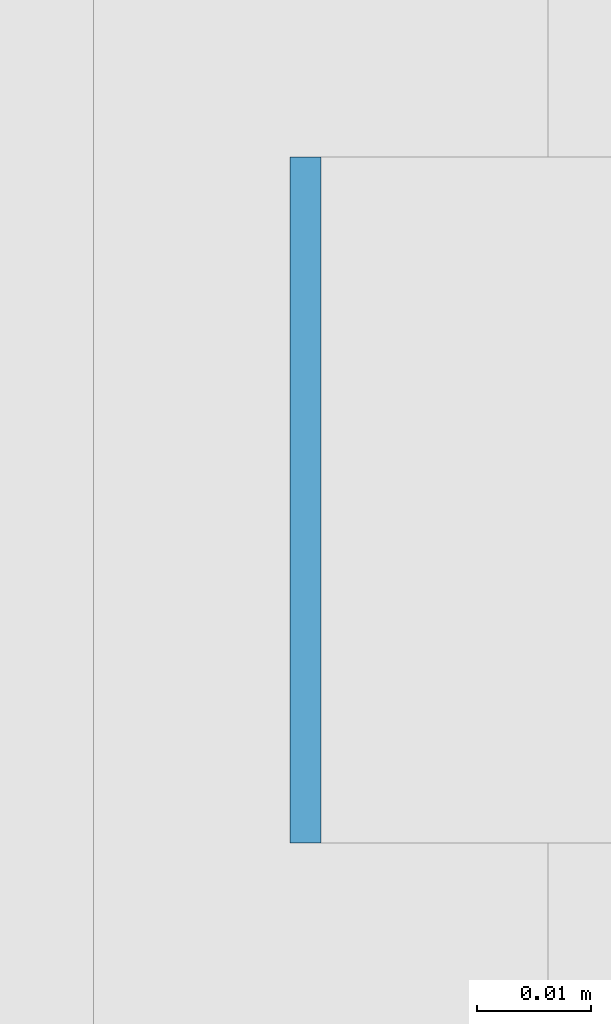
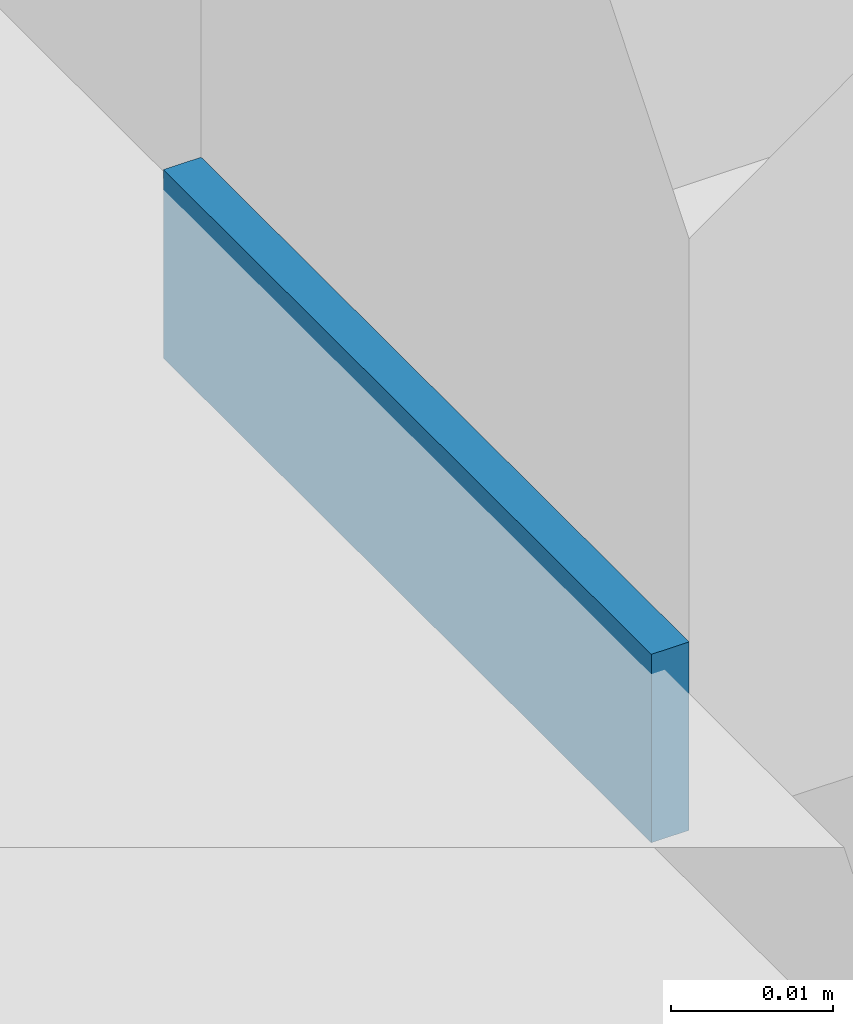
# One storey, part 500 of 646: 1 discrete accessory.
"""IFC4 building model written with IfcOpenShell, lengths in metres."""

from ifc_helpers import new_model, si_unit, direction, frame, origin, origin_2d, place, context, subcontext, project, spatial, rectangle, extrude, material, type_object, element, save


model = new_model("IFC4")

# Units and contexts
model_context = context("Model", 3, precision=1e-05, world=origin(), true_north=direction((0.0, 1.0)))
body_context = subcontext(model_context, "Body", "Model", "MODEL_VIEW")
ifc_project = project(units=[si_unit("LENGTHUNIT", "METRE"), si_unit("AREAUNIT", "SQUARE_METRE"), si_unit("VOLUMEUNIT", "CUBIC_METRE"), si_unit("PLANEANGLEUNIT", "RADIAN"), si_unit("MASSUNIT", "GRAM", prefix="KILO")], contexts=[model_context])

# Site, building, storey
site_placement = place(None, origin())
site = spatial("IfcSite", under=ifc_project, at=site_placement, CompositionType="ELEMENT")
building_placement = place(site_placement, origin())
building = spatial("IfcBuilding", under=site, at=building_placement, Name="Silverbay Arena", CompositionType="ELEMENT")
storey_placement = place(building_placement, frame((0.0, 0.0, 33.5)))
storey = spatial("IfcBuildingStorey", under=building, at=storey_placement, Name="L05", CompositionType="ELEMENT", Elevation=33.5)

# Discrete accessory
ifc_material = material(Name="Steel S355", Category="steel")
discrete_accessory_type = type_object("IfcDiscreteAccessoryType", Name="Steel bracket plate", PredefinedType="BRACKET", material=ifc_material)
discrete_accessory_placement = place(storey_placement, frame((207.128662109375, 66.857177734375, 4.0), z_axis=(0.0, 0.0, 1.0), x_axis=(1.0, 0.0, 0.0)))
element("IfcDiscreteAccessory", 1, at=discrete_accessory_placement, inside=storey, type_object=discrete_accessory_type, Name="Curtain wall packing plate", PredefinedType="BRACKET", context=body_context, shape_type="SweptSolid", body=[
    extrude(rectangle(XDim=0.002685546875, YDim=0.06005859375, at=origin_2d()), origin(), (0.0, 0.0, 1.0), 0.01416015625),
])

save(model, "model.ifc")
